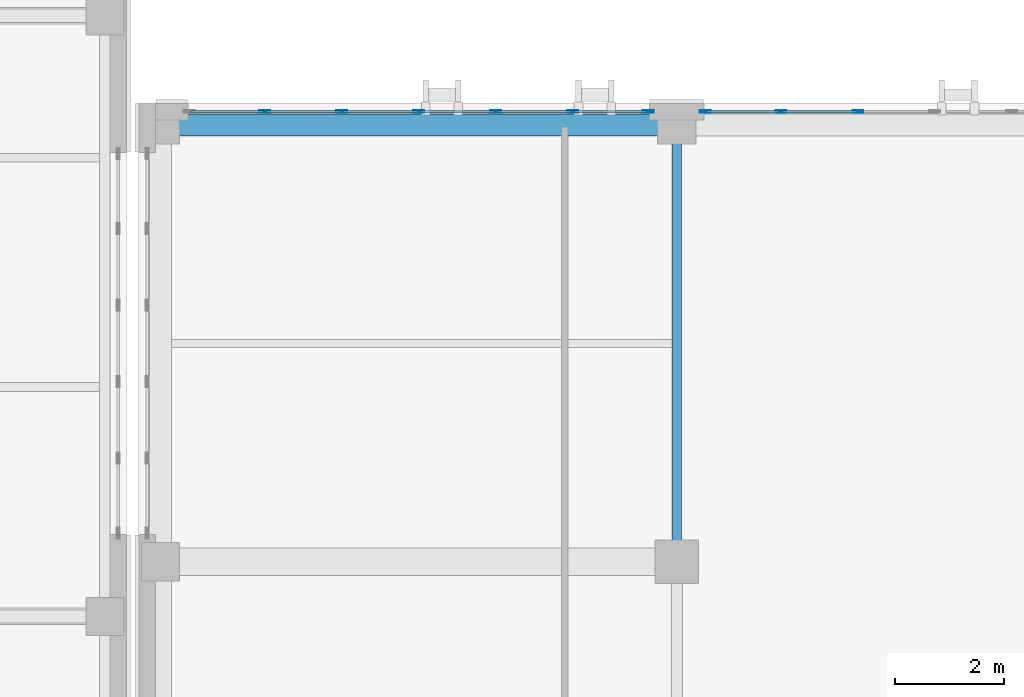
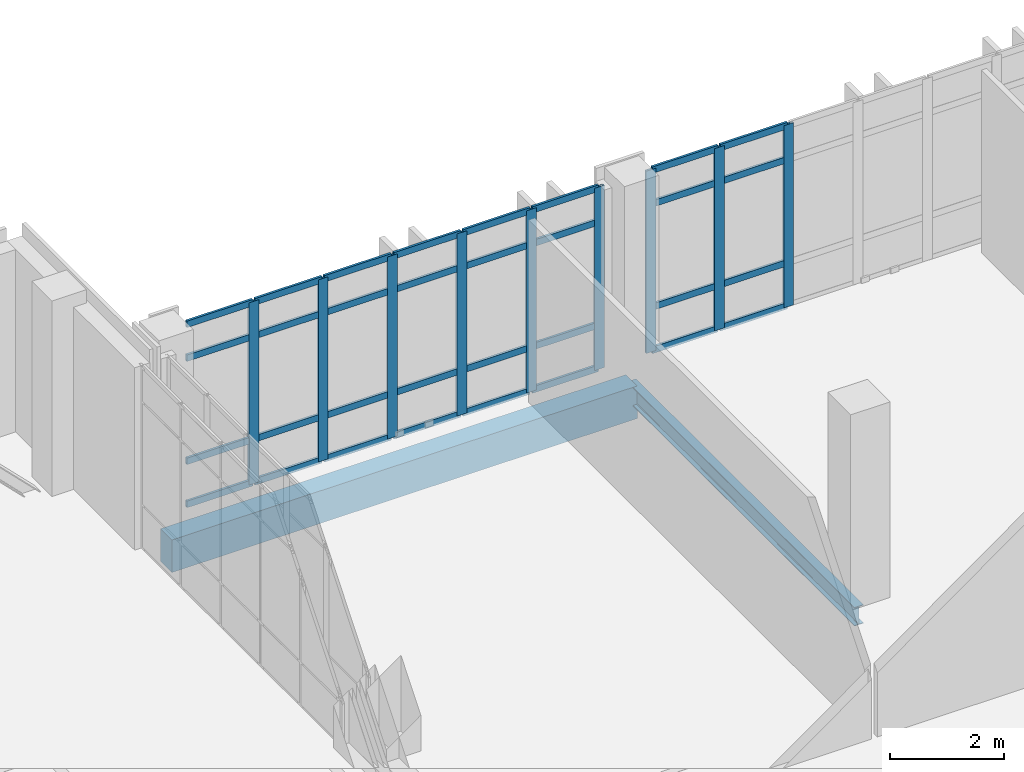
# One storey, part 14 of 193: 41 members, 2 beams, 2 elements without a shape of their own.
"""IFC4 building model written with IfcOpenShell, lengths in metres."""

from ifc_helpers import new_model, si_unit, direction, frame, origin, origin_2d, place, context, subcontext, project, spatial, rectangle, hollow_rectangle, i_section, extrude, material, layer, layer_set, material_profile, profile_set, type_object, element, aggregate, save


model = new_model("IFC4")

# Units and contexts
model_context = context("Model", 3, precision=1e-05, world=origin(), true_north=direction((0.0, 1.0)))
body_context = subcontext(model_context, "Body", "Model", "MODEL_VIEW")
ifc_project = project(units=[si_unit("LENGTHUNIT", "METRE"), si_unit("AREAUNIT", "SQUARE_METRE"), si_unit("VOLUMEUNIT", "CUBIC_METRE"), si_unit("PLANEANGLEUNIT", "RADIAN"), si_unit("MASSUNIT", "GRAM", prefix="KILO")], contexts=[model_context])

# Site, building, storey
site_placement = place(None, origin())
site = spatial("IfcSite", under=ifc_project, at=site_placement, CompositionType="ELEMENT")
building_placement = place(site_placement, origin())
building = spatial("IfcBuilding", under=site, at=building_placement, Name="Qalavern Law Courts", CompositionType="ELEMENT")
storey_placement = place(building_placement, frame((0.0, 0.0, 10.199951171875)))
storey = spatial("IfcBuildingStorey", under=building, at=storey_placement, Name="L02", CompositionType="ELEMENT", Elevation=10.199951171875)

# Curtain wall, members
ifc_material_1 = material(Name="Anodised aluminium and insulated glazing", Category="aluminium")
ifc_layer = layer(ifc_material_1, 0.18505859375)
ifc_layer_set = layer_set([ifc_layer], Name="Anodised aluminium and insulated glazing")
curtain_wall_type = type_object("IfcCurtainWallType", Name="ENV-CW-HALL", PredefinedType="USERDEFINED", material=ifc_layer_set)
curtain_wall_1_placement = place(storey_placement, origin())
curtain_wall_1 = element("IfcCurtainWall", 1, at=curtain_wall_1_placement, inside=storey, type_object=curtain_wall_type, Name="V2 unitised curtain wall L02 north 5", ObjectType="UNITISED CURTAIN WALL", PredefinedType="USERDEFINED")
ifc_material_2 = material(Name="Anodised aluminium", Category="aluminium")
ifc_material_profile_1 = material_profile(ifc_material_2, hollow_rectangle(XDim=0.048095703125, YDim=0.199951171875, WallThickness=0.00439453125, at=origin_2d()), Name="ALU MULLION 48x200")
ifc_profile_set_1 = profile_set([ifc_material_profile_1], Name="Anodised aluminium")
member_type_1 = type_object("IfcMemberType", Name="ENV-CWM-48x200", PredefinedType="MULLION", material=ifc_profile_set_1)
member_1_placement = place(storey_placement, frame((47.392333984375, 30.2451171875, 0.0), z_axis=(0.0, 0.0, 1.0), x_axis=(0.0, -1.0, 0.0)))
member_1 = element("IfcMember", 2, at=member_1_placement, type_object=member_type_1, Name="CW-02 mullion 5", PredefinedType="MULLION", context=body_context, shape_type="SweptSolid", body=[
    extrude(hollow_rectangle(XDim=0.048095703125, YDim=0.199951171875, WallThickness=0.00439453125, at=origin_2d()), origin(), (0.0, 0.0, 1.0), 3.9150390625),
])
member_2_placement = place(storey_placement, frame((45.9833984375, 30.2451171875, 0.0), z_axis=(0.0, 0.0, 1.0), x_axis=(0.0, -1.0, 0.0)))
member_2 = element("IfcMember", 3, at=member_2_placement, type_object=member_type_1, Name="CW-02 mullion 6", PredefinedType="MULLION", context=body_context, shape_type="SweptSolid", body=[
    extrude(hollow_rectangle(XDim=0.048095703125, YDim=0.199951171875, WallThickness=0.00439453125, at=origin_2d()), origin(), (0.0, 0.0, 1.0), 3.9150390625),
])
member_3_placement = place(storey_placement, frame((44.598388671875, 30.2451171875, 0.0), z_axis=(0.0, 0.0, 1.0), x_axis=(0.0, -1.0, 0.0)))
member_3 = element("IfcMember", 4, at=member_3_placement, type_object=member_type_1, Name="CW-02 mullion 7", PredefinedType="MULLION", context=body_context, shape_type="SweptSolid", body=[
    extrude(hollow_rectangle(XDim=0.048095703125, YDim=0.199951171875, WallThickness=0.00439453125, at=origin_2d()), origin(), (0.0, 0.0, 1.0), 3.9150390625),
])

curtain_wall_2_placement = place(storey_placement, origin())
curtain_wall_2 = element("IfcCurtainWall", 5, at=curtain_wall_2_placement, inside=storey, type_object=curtain_wall_type, Name="V2 unitised curtain wall L02 north 6", ObjectType="UNITISED CURTAIN WALL", PredefinedType="USERDEFINED")
member_4_placement = place(storey_placement, frame((43.55029296875, 30.2451171875, 0.0), z_axis=(0.0, 0.0, 1.0), x_axis=(0.0, -1.0, 0.0)))
member_4 = element("IfcMember", 6, at=member_4_placement, type_object=member_type_1, Name="CW-02 mullion 1", PredefinedType="MULLION", context=body_context, shape_type="SweptSolid", body=[
    extrude(hollow_rectangle(XDim=0.048095703125, YDim=0.199951171875, WallThickness=0.00439453125, at=origin_2d()), origin(), (0.0, 0.0, 1.0), 3.9150390625),
])
member_5_placement = place(storey_placement, frame((42.165283203125, 30.2451171875, 0.0), z_axis=(0.0, 0.0, 1.0), x_axis=(0.0, -1.0, 0.0)))
member_5 = element("IfcMember", 7, at=member_5_placement, type_object=member_type_1, Name="CW-02 mullion 2", PredefinedType="MULLION", context=body_context, shape_type="SweptSolid", body=[
    extrude(hollow_rectangle(XDim=0.048095703125, YDim=0.199951171875, WallThickness=0.00439453125, at=origin_2d()), origin(), (0.0, 0.0, 1.0), 3.9150390625),
])
member_6_placement = place(storey_placement, frame((40.756103515625, 30.2451171875, 0.0), z_axis=(0.0, 0.0, 1.0), x_axis=(0.0, -1.0, 0.0)))
member_6 = element("IfcMember", 8, at=member_6_placement, type_object=member_type_1, Name="CW-02 mullion 3", PredefinedType="MULLION", context=body_context, shape_type="SweptSolid", body=[
    extrude(hollow_rectangle(XDim=0.048095703125, YDim=0.199951171875, WallThickness=0.00439453125, at=origin_2d()), origin(), (0.0, 0.0, 1.0), 3.9150390625),
])
member_7_placement = place(storey_placement, frame((39.34716796875, 30.2451171875, 0.0), z_axis=(0.0, 0.0, 1.0), x_axis=(0.0, -1.0, 0.0)))
member_7 = element("IfcMember", 9, at=member_7_placement, type_object=member_type_1, Name="CW-02 mullion 4", PredefinedType="MULLION", context=body_context, shape_type="SweptSolid", body=[
    extrude(hollow_rectangle(XDim=0.048095703125, YDim=0.199951171875, WallThickness=0.00439453125, at=origin_2d()), origin(), (0.0, 0.0, 1.0), 3.9150390625),
])
member_8_placement = place(storey_placement, frame((37.93798828125, 30.2451171875, 0.0), z_axis=(0.0, 0.0, 1.0), x_axis=(0.0, -1.0, 0.0)))
member_8 = element("IfcMember", 10, at=member_8_placement, type_object=member_type_1, Name="CW-02 mullion 5", PredefinedType="MULLION", context=body_context, shape_type="SweptSolid", body=[
    extrude(hollow_rectangle(XDim=0.048095703125, YDim=0.199951171875, WallThickness=0.00439453125, at=origin_2d()), origin(), (0.0, 0.0, 1.0), 3.9150390625),
])
member_9_placement = place(storey_placement, frame((36.529052734375, 30.2451171875, 0.0), z_axis=(0.0, 0.0, 1.0), x_axis=(0.0, -1.0, 0.0)))
member_9 = element("IfcMember", 11, at=member_9_placement, type_object=member_type_1, Name="CW-02 mullion 6", PredefinedType="MULLION", context=body_context, shape_type="SweptSolid", body=[
    extrude(hollow_rectangle(XDim=0.048095703125, YDim=0.199951171875, WallThickness=0.00439453125, at=origin_2d()), origin(), (0.0, 0.0, 1.0), 3.9150390625),
])

# Member
ifc_material_profile_2 = material_profile(ifc_material_2, hollow_rectangle(XDim=0.048095703125, YDim=0.139892578125, WallThickness=0.00390625, at=origin_2d()), Name="ALU TRANSOM 48x140")
ifc_profile_set_2 = profile_set([ifc_material_profile_2], Name="Anodised aluminium")
member_type_2 = type_object("IfcMemberType", Name="ENV-CWT-48x140", PredefinedType="USERDEFINED", material=ifc_profile_set_2)
member_10_placement = place(storey_placement, frame((47.368408203125, 30.2451171875, 0.024169921875), z_axis=(-1.0, 0.0, 0.0), x_axis=(0.0, -1.0, 0.0)))
member_10 = element("IfcMember", 12, at=member_10_placement, type_object=member_type_2, Name="CW-02 transom 5.1", ObjectType="TRANSOM", PredefinedType="USERDEFINED", context=body_context, shape_type="SweptSolid", body=[
    extrude(hollow_rectangle(XDim=0.048095703125, YDim=0.139892578125, WallThickness=0.00390625, at=origin_2d()), origin(), (0.0, 0.0, 1.0), 1.361083984375),
])

member_11_placement = place(storey_placement, frame((47.368408203125, 30.2451171875, 0.949951171875), z_axis=(-1.0, 0.0, 0.0), x_axis=(0.0, -1.0, 0.0)))
member_11 = element("IfcMember", 13, at=member_11_placement, type_object=member_type_2, Name="CW-02 transom 5.2", ObjectType="TRANSOM", PredefinedType="USERDEFINED", context=body_context, shape_type="SweptSolid", body=[
    extrude(hollow_rectangle(XDim=0.048095703125, YDim=0.139892578125, WallThickness=0.00390625, at=origin_2d()), origin(), (0.0, 0.0, 1.0), 1.361083984375),
])

member_12_placement = place(storey_placement, frame((47.368408203125, 30.2451171875, 3.1650390625), z_axis=(-1.0, 0.0, 0.0), x_axis=(0.0, -1.0, 0.0)))
member_12 = element("IfcMember", 14, at=member_12_placement, type_object=member_type_2, Name="CW-02 transom 5.3", ObjectType="TRANSOM", PredefinedType="USERDEFINED", context=body_context, shape_type="SweptSolid", body=[
    extrude(hollow_rectangle(XDim=0.048095703125, YDim=0.139892578125, WallThickness=0.00390625, at=origin_2d()), origin(), (0.0, 0.0, 1.0), 1.361083984375),
])

member_13_placement = place(storey_placement, frame((47.368408203125, 30.2451171875, 3.89111328125), z_axis=(-1.0, 0.0, 0.0), x_axis=(0.0, -1.0, 0.0)))
member_13 = element("IfcMember", 15, at=member_13_placement, type_object=member_type_2, Name="CW-02 transom 5.4", ObjectType="TRANSOM", PredefinedType="USERDEFINED", context=body_context, shape_type="SweptSolid", body=[
    extrude(hollow_rectangle(XDim=0.048095703125, YDim=0.139892578125, WallThickness=0.00390625, at=origin_2d()), origin(), (0.0, 0.0, 1.0), 1.361083984375),
])

member_14_placement = place(storey_placement, frame((45.959228515625, 30.2451171875, 0.024169921875), z_axis=(-1.0, 0.0, 0.0), x_axis=(0.0, -1.0, 0.0)))
member_14 = element("IfcMember", 16, at=member_14_placement, type_object=member_type_2, Name="CW-02 transom 6.1", ObjectType="TRANSOM", PredefinedType="USERDEFINED", context=body_context, shape_type="SweptSolid", body=[
    extrude(hollow_rectangle(XDim=0.048095703125, YDim=0.139892578125, WallThickness=0.00390625, at=origin_2d()), origin(), (0.0, 0.0, 1.0), 1.3369140625),
])

member_15_placement = place(storey_placement, frame((45.959228515625, 30.2451171875, 0.949951171875), z_axis=(-1.0, 0.0, 0.0), x_axis=(0.0, -1.0, 0.0)))
member_15 = element("IfcMember", 17, at=member_15_placement, type_object=member_type_2, Name="CW-02 transom 6.2", ObjectType="TRANSOM", PredefinedType="USERDEFINED", context=body_context, shape_type="SweptSolid", body=[
    extrude(hollow_rectangle(XDim=0.048095703125, YDim=0.139892578125, WallThickness=0.00390625, at=origin_2d()), origin(), (0.0, 0.0, 1.0), 1.3369140625),
])

member_16_placement = place(storey_placement, frame((45.959228515625, 30.2451171875, 3.1650390625), z_axis=(-1.0, 0.0, 0.0), x_axis=(0.0, -1.0, 0.0)))
member_16 = element("IfcMember", 18, at=member_16_placement, type_object=member_type_2, Name="CW-02 transom 6.3", ObjectType="TRANSOM", PredefinedType="USERDEFINED", context=body_context, shape_type="SweptSolid", body=[
    extrude(hollow_rectangle(XDim=0.048095703125, YDim=0.139892578125, WallThickness=0.00390625, at=origin_2d()), origin(), (0.0, 0.0, 1.0), 1.3369140625),
])

member_17_placement = place(storey_placement, frame((45.959228515625, 30.2451171875, 3.89111328125), z_axis=(-1.0, 0.0, 0.0), x_axis=(0.0, -1.0, 0.0)))
member_17 = element("IfcMember", 19, at=member_17_placement, type_object=member_type_2, Name="CW-02 transom 6.4", ObjectType="TRANSOM", PredefinedType="USERDEFINED", context=body_context, shape_type="SweptSolid", body=[
    extrude(hollow_rectangle(XDim=0.048095703125, YDim=0.139892578125, WallThickness=0.00390625, at=origin_2d()), origin(), (0.0, 0.0, 1.0), 1.3369140625),
])

aggregate(curtain_wall_1, [member_1, member_2, member_3, member_10, member_11, member_12, member_13, member_14, member_15, member_16, member_17])

member_18_placement = place(storey_placement, frame((43.5263671875, 30.2451171875, 0.024169921875), z_axis=(-1.0, 0.0, 0.0), x_axis=(0.0, -1.0, 0.0)))
member_18 = element("IfcMember", 20, at=member_18_placement, type_object=member_type_2, Name="CW-02 transom 1.1", ObjectType="TRANSOM", PredefinedType="USERDEFINED", context=body_context, shape_type="SweptSolid", body=[
    extrude(hollow_rectangle(XDim=0.048095703125, YDim=0.139892578125, WallThickness=0.00390625, at=origin_2d()), origin(), (0.0, 0.0, 1.0), 1.337158203125),
])

member_19_placement = place(storey_placement, frame((43.5263671875, 30.2451171875, 0.949951171875), z_axis=(-1.0, 0.0, 0.0), x_axis=(0.0, -1.0, 0.0)))
member_19 = element("IfcMember", 21, at=member_19_placement, type_object=member_type_2, Name="CW-02 transom 1.2", ObjectType="TRANSOM", PredefinedType="USERDEFINED", context=body_context, shape_type="SweptSolid", body=[
    extrude(hollow_rectangle(XDim=0.048095703125, YDim=0.139892578125, WallThickness=0.00390625, at=origin_2d()), origin(), (0.0, 0.0, 1.0), 1.337158203125),
])

member_20_placement = place(storey_placement, frame((43.5263671875, 30.2451171875, 3.1650390625), z_axis=(-1.0, 0.0, 0.0), x_axis=(0.0, -1.0, 0.0)))
member_20 = element("IfcMember", 22, at=member_20_placement, type_object=member_type_2, Name="CW-02 transom 1.3", ObjectType="TRANSOM", PredefinedType="USERDEFINED", context=body_context, shape_type="SweptSolid", body=[
    extrude(hollow_rectangle(XDim=0.048095703125, YDim=0.139892578125, WallThickness=0.00390625, at=origin_2d()), origin(), (0.0, 0.0, 1.0), 1.337158203125),
])

member_21_placement = place(storey_placement, frame((43.5263671875, 30.2451171875, 3.89111328125), z_axis=(-1.0, 0.0, 0.0), x_axis=(0.0, -1.0, 0.0)))
member_21 = element("IfcMember", 23, at=member_21_placement, type_object=member_type_2, Name="CW-02 transom 1.4", ObjectType="TRANSOM", PredefinedType="USERDEFINED", context=body_context, shape_type="SweptSolid", body=[
    extrude(hollow_rectangle(XDim=0.048095703125, YDim=0.139892578125, WallThickness=0.00390625, at=origin_2d()), origin(), (0.0, 0.0, 1.0), 1.337158203125),
])

member_22_placement = place(storey_placement, frame((42.141357421875, 30.2451171875, 0.024169921875), z_axis=(-1.0, 0.0, 0.0), x_axis=(0.0, -1.0, 0.0)))
member_22 = element("IfcMember", 24, at=member_22_placement, type_object=member_type_2, Name="CW-02 transom 2.1", ObjectType="TRANSOM", PredefinedType="USERDEFINED", context=body_context, shape_type="SweptSolid", body=[
    extrude(hollow_rectangle(XDim=0.048095703125, YDim=0.139892578125, WallThickness=0.00390625, at=origin_2d()), origin(), (0.0, 0.0, 1.0), 1.361083984375),
])

member_23_placement = place(storey_placement, frame((42.141357421875, 30.2451171875, 0.949951171875), z_axis=(-1.0, 0.0, 0.0), x_axis=(0.0, -1.0, 0.0)))
member_23 = element("IfcMember", 25, at=member_23_placement, type_object=member_type_2, Name="CW-02 transom 2.2", ObjectType="TRANSOM", PredefinedType="USERDEFINED", context=body_context, shape_type="SweptSolid", body=[
    extrude(hollow_rectangle(XDim=0.048095703125, YDim=0.139892578125, WallThickness=0.00390625, at=origin_2d()), origin(), (0.0, 0.0, 1.0), 1.361083984375),
])

member_24_placement = place(storey_placement, frame((42.141357421875, 30.2451171875, 3.1650390625), z_axis=(-1.0, 0.0, 0.0), x_axis=(0.0, -1.0, 0.0)))
member_24 = element("IfcMember", 26, at=member_24_placement, type_object=member_type_2, Name="CW-02 transom 2.3", ObjectType="TRANSOM", PredefinedType="USERDEFINED", context=body_context, shape_type="SweptSolid", body=[
    extrude(hollow_rectangle(XDim=0.048095703125, YDim=0.139892578125, WallThickness=0.00390625, at=origin_2d()), origin(), (0.0, 0.0, 1.0), 1.361083984375),
])

member_25_placement = place(storey_placement, frame((42.141357421875, 30.2451171875, 3.89111328125), z_axis=(-1.0, 0.0, 0.0), x_axis=(0.0, -1.0, 0.0)))
member_25 = element("IfcMember", 27, at=member_25_placement, type_object=member_type_2, Name="CW-02 transom 2.4", ObjectType="TRANSOM", PredefinedType="USERDEFINED", context=body_context, shape_type="SweptSolid", body=[
    extrude(hollow_rectangle(XDim=0.048095703125, YDim=0.139892578125, WallThickness=0.00390625, at=origin_2d()), origin(), (0.0, 0.0, 1.0), 1.361083984375),
])

member_26_placement = place(storey_placement, frame((40.732177734375, 30.2451171875, 0.024169921875), z_axis=(-1.0, 0.0, 0.0), x_axis=(0.0, -1.0, 0.0)))
member_26 = element("IfcMember", 28, at=member_26_placement, type_object=member_type_2, Name="CW-02 transom 3.1", ObjectType="TRANSOM", PredefinedType="USERDEFINED", context=body_context, shape_type="SweptSolid", body=[
    extrude(hollow_rectangle(XDim=0.048095703125, YDim=0.139892578125, WallThickness=0.00390625, at=origin_2d()), origin(), (0.0, 0.0, 1.0), 1.361083984375),
])

member_27_placement = place(storey_placement, frame((40.732177734375, 30.2451171875, 0.949951171875), z_axis=(-1.0, 0.0, 0.0), x_axis=(0.0, -1.0, 0.0)))
member_27 = element("IfcMember", 29, at=member_27_placement, type_object=member_type_2, Name="CW-02 transom 3.2", ObjectType="TRANSOM", PredefinedType="USERDEFINED", context=body_context, shape_type="SweptSolid", body=[
    extrude(hollow_rectangle(XDim=0.048095703125, YDim=0.139892578125, WallThickness=0.00390625, at=origin_2d()), origin(), (0.0, 0.0, 1.0), 1.361083984375),
])

member_28_placement = place(storey_placement, frame((40.732177734375, 30.2451171875, 3.1650390625), z_axis=(-1.0, 0.0, 0.0), x_axis=(0.0, -1.0, 0.0)))
member_28 = element("IfcMember", 30, at=member_28_placement, type_object=member_type_2, Name="CW-02 transom 3.3", ObjectType="TRANSOM", PredefinedType="USERDEFINED", context=body_context, shape_type="SweptSolid", body=[
    extrude(hollow_rectangle(XDim=0.048095703125, YDim=0.139892578125, WallThickness=0.00390625, at=origin_2d()), origin(), (0.0, 0.0, 1.0), 1.361083984375),
])

member_29_placement = place(storey_placement, frame((40.732177734375, 30.2451171875, 3.89111328125), z_axis=(-1.0, 0.0, 0.0), x_axis=(0.0, -1.0, 0.0)))
member_29 = element("IfcMember", 31, at=member_29_placement, type_object=member_type_2, Name="CW-02 transom 3.4", ObjectType="TRANSOM", PredefinedType="USERDEFINED", context=body_context, shape_type="SweptSolid", body=[
    extrude(hollow_rectangle(XDim=0.048095703125, YDim=0.139892578125, WallThickness=0.00390625, at=origin_2d()), origin(), (0.0, 0.0, 1.0), 1.361083984375),
])

member_30_placement = place(storey_placement, frame((39.3232421875, 30.2451171875, 0.024169921875), z_axis=(-1.0, 0.0, 0.0), x_axis=(0.0, -1.0, 0.0)))
member_30 = element("IfcMember", 32, at=member_30_placement, type_object=member_type_2, Name="CW-02 transom 4.1", ObjectType="TRANSOM", PredefinedType="USERDEFINED", context=body_context, shape_type="SweptSolid", body=[
    extrude(hollow_rectangle(XDim=0.048095703125, YDim=0.139892578125, WallThickness=0.00390625, at=origin_2d()), origin(), (0.0, 0.0, 1.0), 1.361083984375),
])

member_31_placement = place(storey_placement, frame((39.3232421875, 30.2451171875, 0.949951171875), z_axis=(-1.0, 0.0, 0.0), x_axis=(0.0, -1.0, 0.0)))
member_31 = element("IfcMember", 33, at=member_31_placement, type_object=member_type_2, Name="CW-02 transom 4.2", ObjectType="TRANSOM", PredefinedType="USERDEFINED", context=body_context, shape_type="SweptSolid", body=[
    extrude(hollow_rectangle(XDim=0.048095703125, YDim=0.139892578125, WallThickness=0.00390625, at=origin_2d()), origin(), (0.0, 0.0, 1.0), 1.361083984375),
])

member_32_placement = place(storey_placement, frame((39.3232421875, 30.2451171875, 3.1650390625), z_axis=(-1.0, 0.0, 0.0), x_axis=(0.0, -1.0, 0.0)))
member_32 = element("IfcMember", 34, at=member_32_placement, type_object=member_type_2, Name="CW-02 transom 4.3", ObjectType="TRANSOM", PredefinedType="USERDEFINED", context=body_context, shape_type="SweptSolid", body=[
    extrude(hollow_rectangle(XDim=0.048095703125, YDim=0.139892578125, WallThickness=0.00390625, at=origin_2d()), origin(), (0.0, 0.0, 1.0), 1.361083984375),
])

member_33_placement = place(storey_placement, frame((39.3232421875, 30.2451171875, 3.89111328125), z_axis=(-1.0, 0.0, 0.0), x_axis=(0.0, -1.0, 0.0)))
member_33 = element("IfcMember", 35, at=member_33_placement, type_object=member_type_2, Name="CW-02 transom 4.4", ObjectType="TRANSOM", PredefinedType="USERDEFINED", context=body_context, shape_type="SweptSolid", body=[
    extrude(hollow_rectangle(XDim=0.048095703125, YDim=0.139892578125, WallThickness=0.00390625, at=origin_2d()), origin(), (0.0, 0.0, 1.0), 1.361083984375),
])

member_34_placement = place(storey_placement, frame((37.9140625, 30.2451171875, 0.024169921875), z_axis=(-1.0, 0.0, 0.0), x_axis=(0.0, -1.0, 0.0)))
member_34 = element("IfcMember", 36, at=member_34_placement, type_object=member_type_2, Name="CW-02 transom 5.1", ObjectType="TRANSOM", PredefinedType="USERDEFINED", context=body_context, shape_type="SweptSolid", body=[
    extrude(hollow_rectangle(XDim=0.048095703125, YDim=0.139892578125, WallThickness=0.00390625, at=origin_2d()), origin(), (0.0, 0.0, 1.0), 1.361083984375),
])

member_35_placement = place(storey_placement, frame((37.9140625, 30.2451171875, 0.949951171875), z_axis=(-1.0, 0.0, 0.0), x_axis=(0.0, -1.0, 0.0)))
member_35 = element("IfcMember", 37, at=member_35_placement, type_object=member_type_2, Name="CW-02 transom 5.2", ObjectType="TRANSOM", PredefinedType="USERDEFINED", context=body_context, shape_type="SweptSolid", body=[
    extrude(hollow_rectangle(XDim=0.048095703125, YDim=0.139892578125, WallThickness=0.00390625, at=origin_2d()), origin(), (0.0, 0.0, 1.0), 1.361083984375),
])

member_36_placement = place(storey_placement, frame((37.9140625, 30.2451171875, 3.1650390625), z_axis=(-1.0, 0.0, 0.0), x_axis=(0.0, -1.0, 0.0)))
member_36 = element("IfcMember", 38, at=member_36_placement, type_object=member_type_2, Name="CW-02 transom 5.3", ObjectType="TRANSOM", PredefinedType="USERDEFINED", context=body_context, shape_type="SweptSolid", body=[
    extrude(hollow_rectangle(XDim=0.048095703125, YDim=0.139892578125, WallThickness=0.00390625, at=origin_2d()), origin(), (0.0, 0.0, 1.0), 1.361083984375),
])

member_37_placement = place(storey_placement, frame((37.9140625, 30.2451171875, 3.89111328125), z_axis=(-1.0, 0.0, 0.0), x_axis=(0.0, -1.0, 0.0)))
member_37 = element("IfcMember", 39, at=member_37_placement, type_object=member_type_2, Name="CW-02 transom 5.4", ObjectType="TRANSOM", PredefinedType="USERDEFINED", context=body_context, shape_type="SweptSolid", body=[
    extrude(hollow_rectangle(XDim=0.048095703125, YDim=0.139892578125, WallThickness=0.00390625, at=origin_2d()), origin(), (0.0, 0.0, 1.0), 1.361083984375),
])

member_38_placement = place(storey_placement, frame((36.505126953125, 30.2451171875, 0.024169921875), z_axis=(-1.0, 0.0, 0.0), x_axis=(0.0, -1.0, 0.0)))
member_38 = element("IfcMember", 40, at=member_38_placement, type_object=member_type_2, Name="CW-02 transom 6.1", ObjectType="TRANSOM", PredefinedType="USERDEFINED", context=body_context, shape_type="SweptSolid", body=[
    extrude(hollow_rectangle(XDim=0.048095703125, YDim=0.139892578125, WallThickness=0.00390625, at=origin_2d()), origin(), (0.0, 0.0, 1.0), 1.337158203125),
])

member_39_placement = place(storey_placement, frame((36.505126953125, 30.2451171875, 0.949951171875), z_axis=(-1.0, 0.0, 0.0), x_axis=(0.0, -1.0, 0.0)))
member_39 = element("IfcMember", 41, at=member_39_placement, type_object=member_type_2, Name="CW-02 transom 6.2", ObjectType="TRANSOM", PredefinedType="USERDEFINED", context=body_context, shape_type="SweptSolid", body=[
    extrude(hollow_rectangle(XDim=0.048095703125, YDim=0.139892578125, WallThickness=0.00390625, at=origin_2d()), origin(), (0.0, 0.0, 1.0), 1.337158203125),
])

member_40_placement = place(storey_placement, frame((36.505126953125, 30.2451171875, 3.1650390625), z_axis=(-1.0, 0.0, 0.0), x_axis=(0.0, -1.0, 0.0)))
member_40 = element("IfcMember", 42, at=member_40_placement, type_object=member_type_2, Name="CW-02 transom 6.3", ObjectType="TRANSOM", PredefinedType="USERDEFINED", context=body_context, shape_type="SweptSolid", body=[
    extrude(hollow_rectangle(XDim=0.048095703125, YDim=0.139892578125, WallThickness=0.00390625, at=origin_2d()), origin(), (0.0, 0.0, 1.0), 1.337158203125),
])

member_41_placement = place(storey_placement, frame((36.505126953125, 30.2451171875, 3.89111328125), z_axis=(-1.0, 0.0, 0.0), x_axis=(0.0, -1.0, 0.0)))
member_41 = element("IfcMember", 43, at=member_41_placement, type_object=member_type_2, Name="CW-02 transom 6.4", ObjectType="TRANSOM", PredefinedType="USERDEFINED", context=body_context, shape_type="SweptSolid", body=[
    extrude(hollow_rectangle(XDim=0.048095703125, YDim=0.139892578125, WallThickness=0.00390625, at=origin_2d()), origin(), (0.0, 0.0, 1.0), 1.337158203125),
])

aggregate(curtain_wall_2, [member_4, member_5, member_6, member_7, member_8, member_9, member_18, member_19, member_20, member_21, member_22, member_23, member_24, member_25, member_26, member_27, member_28, member_29, member_30, member_31, member_32, member_33, member_34, member_35, member_36, member_37, member_38, member_39, member_40, member_41])

# Beams
ifc_material_3 = material(Name="Steel S355", Category="steel")
ifc_material_profile_3 = material_profile(ifc_material_3, i_section(OverallWidth=0.179931640625, OverallDepth=0.39990234375, WebThickness=0.008544921875, FlangeThickness=0.013427734375, FilletRadius=0.02099609375, at=origin_2d()), Name="IPE 400")
ifc_profile_set_3 = profile_set([ifc_material_profile_3], Name="Steel S355")
beam_type_1 = type_object("IfcBeamType", Name="STR-BM-IPE400", PredefinedType="BEAM", material=ifc_profile_set_3)
beam_1_placement = place(storey_placement, frame((44.07421875, 22.0, -0.489990234375), z_axis=(0.0, 1.0, 0.0), x_axis=(-1.0, 0.0, 0.0)))
element("IfcBeam", 44, at=beam_1_placement, inside=storey, type_object=beam_type_1, Name="V2 Y-beam 2-3 L02", PredefinedType="BEAM", context=body_context, shape_type="SweptSolid", body=[
    extrude(i_section(OverallWidth=0.179931640625, OverallDepth=0.39990234375, WebThickness=0.008544921875, FlangeThickness=0.013427734375, FilletRadius=0.02099609375, at=origin_2d()), origin(), (0.0, 0.0, 1.0), 8.0),
])
ifc_material_4 = material(Name="Concrete C40/50", Category="concrete")
ifc_material_profile_4 = material_profile(ifc_material_4, rectangle(XDim=0.39990234375, YDim=0.699951171875, at=origin_2d()), Name="RC 400x700")
ifc_profile_set_4 = profile_set([ifc_material_profile_4], Name="Concrete C40/50")
beam_type_2 = type_object("IfcBeamType", Name="STR-SP-RC400x700", PredefinedType="SPANDREL", material=ifc_profile_set_4)
beam_2_placement = place(storey_placement, frame((34.6201171875, 30.0, -0.639892578125), z_axis=(1.0, 0.0, 0.0), x_axis=(0.0, 1.0, 0.0)))
element("IfcBeam", 45, at=beam_2_placement, inside=storey, type_object=beam_type_2, Name="V2 X-beam 4-1 L02", PredefinedType="SPANDREL", context=body_context, shape_type="SweptSolid", body=[
    extrude(rectangle(XDim=0.39990234375, YDim=0.699951171875, at=origin_2d()), origin(), (0.0, 0.0, 1.0), 9.4541015625),
])

save(model, "model.ifc")
